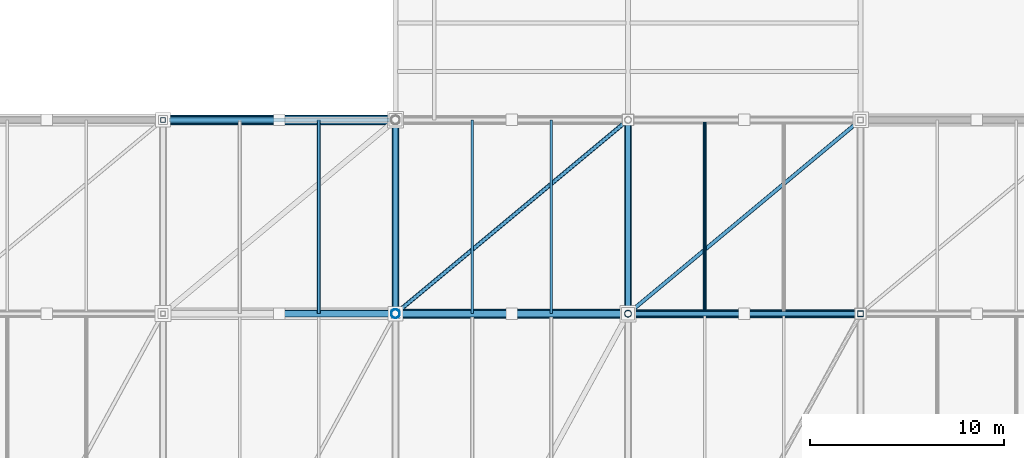
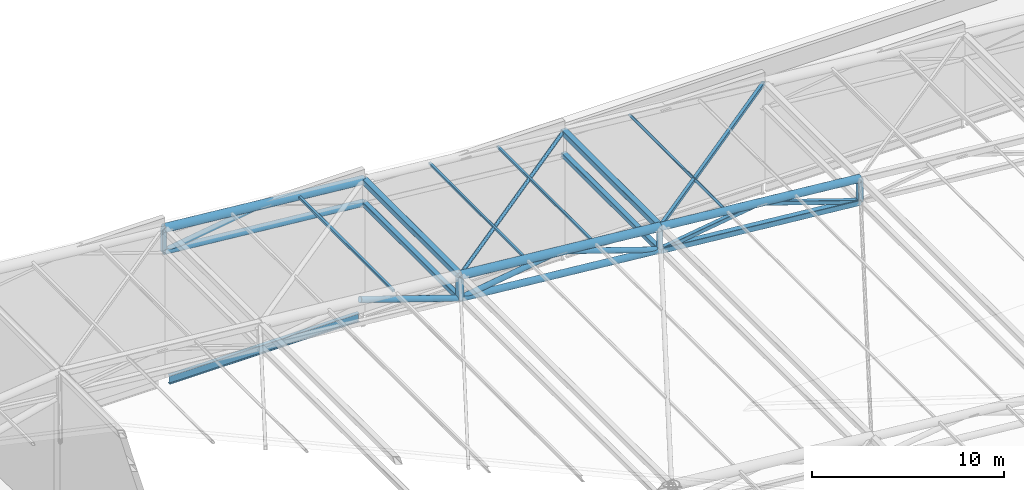
# One storey, part 32 of 44: 26 members, 1 beam.
"""IFC4 building model written with IfcOpenShell, lengths in metres."""

from ifc_helpers import new_model, si_unit, direction, frame, origin, origin_2d, place, context, subcontext, project, spatial, hollow_rectangle, hollow_circle, i_section, extrude, material, material_profile, profile_set, type_object, element, save


model = new_model("IFC4")

# Units and contexts
model_context = context("Model", 3, precision=1e-05, world=origin(), true_north=direction((0.0, 1.0)))
body_context = subcontext(model_context, "Body", "Model", "MODEL_VIEW")
ifc_project = project(units=[si_unit("LENGTHUNIT", "METRE"), si_unit("AREAUNIT", "SQUARE_METRE"), si_unit("VOLUMEUNIT", "CUBIC_METRE"), si_unit("PLANEANGLEUNIT", "RADIAN"), si_unit("MASSUNIT", "GRAM", prefix="KILO")], contexts=[model_context])

# Site, building, storey
site_placement = place(None, origin())
site = spatial("IfcSite", under=ifc_project, at=site_placement, CompositionType="ELEMENT")
building_placement = place(site_placement, origin())
building = spatial("IfcBuilding", under=site, at=building_placement, Name="Brinegate Civic Arena", CompositionType="ELEMENT")
storey_placement = place(building_placement, frame((0.0, 0.0, 29.39990234375)))
storey = spatial("IfcBuildingStorey", under=building, at=storey_placement, Name="RF", CompositionType="ELEMENT", Elevation=29.39990234375)

# Members
ifc_material = material(Name="Steel S355", Category="steel")
ifc_material_profile_1 = material_profile(ifc_material, hollow_circle(Radius=0.083984375, WallThickness=0.008056640625, at=origin_2d()), Name="CHS168X8")
ifc_profile_set_1 = profile_set([ifc_material_profile_1], Name="Steel S355")
member_type_1 = type_object("IfcMemberType", Name="RF-PURLIN-CHS168", PredefinedType="PURLIN", material=ifc_profile_set_1)
member_1_placement = place(storey_placement, frame((99.9599609375, 104.0, 6.835205078125), z_axis=(0.0, 1.0, 0.0), x_axis=(-1.0, 0.0, 0.0)))
element("IfcMember", 1, at=member_1_placement, inside=storey, type_object=member_type_1, Name="Roof Purlin RFP-117", PredefinedType="PURLIN", context=body_context, shape_type="SweptSolid", body=[
    extrude(hollow_circle(Radius=0.083984375, WallThickness=0.008056640625, at=origin_2d()), origin(), (0.0, 0.0, 1.0), 10.0),
])
ifc_material_profile_2 = material_profile(ifc_material, hollow_rectangle(XDim=0.139892578125, YDim=0.139892578125, WallThickness=0.008056640625, InnerFilletRadius=0.008056640625, OuterFilletRadius=0.01611328125, at=origin_2d()), Name="SHS140X8")
ifc_profile_set_2 = profile_set([ifc_material_profile_2], Name="Steel S355")
member_type_2 = type_object("IfcMemberType", Name="RF-PURLIN-SHS140", PredefinedType="PURLIN", material=ifc_profile_set_2)
for number, where, z_axis, x_axis, name in (
    (2, (87.9599609375, 104.0, 7.97412109375), (0.0, 1.0, 0.0), (-1.0, 0.0, 0.0), "Roof Purlin RFP-115"),
    (3, (92.0400390625, 104.0, 7.591064453125), (0.0, 1.0, 0.0), (-1.0, 0.0, 0.0), "Roof Purlin RFP-116"),
):
    element("IfcMember", number, at=place(storey_placement, frame(where, z_axis=z_axis, x_axis=x_axis)), inside=storey, type_object=member_type_2, Name=name, PredefinedType="PURLIN", context=body_context, shape_type="SweptSolid", body=[
        extrude(hollow_rectangle(XDim=0.139892578125, YDim=0.139892578125, WallThickness=0.008056640625, InnerFilletRadius=0.008056640625, OuterFilletRadius=0.01611328125, at=origin_2d()), origin(), (0.0, 0.0, 1.0), 10.0),
    ])
ifc_material_profile_3 = material_profile(ifc_material, hollow_rectangle(XDim=0.159912109375, YDim=0.159912109375, WallThickness=0.008056640625, InnerFilletRadius=0.008056640625, OuterFilletRadius=0.01611328125, at=origin_2d()), Name="SHS160X8")
ifc_profile_set_3 = profile_set([ifc_material_profile_3], Name="Steel S355")
member_type_3 = type_object("IfcMemberType", Name="RF-PURLIN-SHS160", PredefinedType="PURLIN", material=ifc_profile_set_3)
member_2_placement = place(storey_placement, frame((80.0400390625, 104.0, 8.7060546875), z_axis=(0.0, 1.0, 0.0), x_axis=(-1.0, 0.0, 0.0)))
element("IfcMember", 4, at=member_2_placement, inside=storey, type_object=member_type_3, Name="Roof Purlin RFP-114", PredefinedType="PURLIN", context=body_context, shape_type="SweptSolid", body=[
    extrude(hollow_rectangle(XDim=0.159912109375, YDim=0.159912109375, WallThickness=0.008056640625, InnerFilletRadius=0.008056640625, OuterFilletRadius=0.01611328125, at=origin_2d()), origin(), (0.0, 0.0, 1.0), 10.0),
])
ifc_material_profile_4 = material_profile(ifc_material, hollow_circle(Radius=0.109619140625, WallThickness=0.010009765625, at=origin_2d()), Name="CHS219X10")
ifc_profile_set_4 = profile_set([ifc_material_profile_4], Name="Steel S355")
member_type_4 = type_object("IfcMemberType", Name="SF-BRACE-CHS219", PredefinedType="BRACE", material=ifc_profile_set_4)
member_3_placement = place(storey_placement, frame((84.0, 104.0, 8.300048828125), z_axis=(0.766236619907, 0.638530516589, -0.071834683116), x_axis=(-0.640184399664, 0.768221279597, 0.0)))
element("IfcMember", 5, at=member_3_placement, inside=storey, type_object=member_type_4, Name="Roof Plan Diagonal Brace PL-7-4", PredefinedType="BRACE", context=body_context, shape_type="SweptSolid", body=[
    extrude(hollow_circle(Radius=0.109619140625, WallThickness=0.010009765625, at=origin_2d()), origin(), (0.0, 0.0, 1.0), 15.660888671875),
])
ifc_material_profile_5 = material_profile(ifc_material, hollow_circle(Radius=0.162109375, WallThickness=0.011962890625, at=origin_2d()), Name="CHS324X12")
ifc_profile_set_5 = profile_set([ifc_material_profile_5], Name="Steel S355")
member_type_5 = type_object("IfcMemberType", Name="SF-BRACE-CHS324", PredefinedType="BRACE", material=ifc_profile_set_5)
member_4_placement = place(storey_placement, frame((84.0, 104.0, 6.85009765625), z_axis=(0.989226142737, 0.0, 0.1463954867), x_axis=(0.0, 1.0, 0.0)))
element("IfcMember", 6, at=member_4_placement, inside=storey, type_object=member_type_5, Name="Space Frame Web Brace D1-7-4", PredefinedType="BRACE", context=body_context, shape_type="SweptSolid", body=[
    extrude(hollow_circle(Radius=0.162109375, WallThickness=0.011962890625, at=origin_2d()), origin(), (0.0, 0.0, 1.0), 6.0654296875),
])
member_5_placement = place(storey_placement, frame((90.0, 104.0, 7.738037109375), z_axis=(0.948068139281, 0.0, -0.318067293635), x_axis=(0.0, 1.0, 0.0)))
element("IfcMember", 7, at=member_5_placement, inside=storey, type_object=member_type_5, Name="Space Frame Web Brace D2-7-4", PredefinedType="BRACE", context=body_context, shape_type="SweptSolid", body=[
    extrude(hollow_circle(Radius=0.162109375, WallThickness=0.011962890625, at=origin_2d()), origin(), (0.0, 0.0, 1.0), 6.32861328125),
])
member_6_placement = place(storey_placement, frame((72.0, 114.0, 7.97509765625), z_axis=(0.989226142737, 0.0, 0.1463954867), x_axis=(0.0, 1.0, 0.0)))
element("IfcMember", 8, at=member_6_placement, inside=storey, type_object=member_type_5, Name="Space Frame Web Brace D1-8-3", PredefinedType="BRACE", context=body_context, shape_type="SweptSolid", body=[
    extrude(hollow_circle(Radius=0.162109375, WallThickness=0.011962890625, at=origin_2d()), origin(), (0.0, 0.0, 1.0), 6.0654296875),
])
ifc_material_profile_6 = material_profile(ifc_material, hollow_circle(Radius=0.177978515625, WallThickness=0.013916015625, at=origin_2d()), Name="CHS356X14")
ifc_profile_set_6 = profile_set([ifc_material_profile_6], Name="Steel S355")
member_type_6 = type_object("IfcMemberType", Name="SF-BRACE-CHS356", PredefinedType="BRACE", material=ifc_profile_set_6)
member_7_placement = place(storey_placement, frame((78.0, 104.0, 8.863037109375), z_axis=(0.948068139281, 0.0, -0.318067293635), x_axis=(0.0, 1.0, 0.0)))
element("IfcMember", 9, at=member_7_placement, inside=storey, type_object=member_type_6, Name="Space Frame Web Brace D2-7-3", PredefinedType="BRACE", context=body_context, shape_type="SweptSolid", body=[
    extrude(hollow_circle(Radius=0.177978515625, WallThickness=0.013916015625, at=origin_2d()), origin(), (0.0, 0.0, 1.0), 6.32861328125),
])
ifc_material_profile_7 = material_profile(ifc_material, hollow_rectangle(XDim=0.199951171875, YDim=0.199951171875, WallThickness=0.010009765625, InnerFilletRadius=0.010009765625, OuterFilletRadius=0.02001953125, at=origin_2d()), Name="SHS200X10")
ifc_profile_set_7 = profile_set([ifc_material_profile_7], Name="Steel S355")
member_type_7 = type_object("IfcMemberType", Name="SF-BRACE-SHS200", PredefinedType="BRACE", material=ifc_profile_set_7)
member_8_placement = place(storey_placement, frame((96.0, 104.0, 7.175048828125), z_axis=(0.766236619907, 0.638530516589, -0.071834683116), x_axis=(-0.640184399664, 0.768221279597, 0.0)))
element("IfcMember", 10, at=member_8_placement, inside=storey, type_object=member_type_7, Name="Roof Plan Diagonal Brace PL-7-5", PredefinedType="BRACE", context=body_context, shape_type="SweptSolid", body=[
    extrude(hollow_rectangle(XDim=0.199951171875, YDim=0.199951171875, WallThickness=0.010009765625, InnerFilletRadius=0.010009765625, OuterFilletRadius=0.02001953125, at=origin_2d()), origin(), (0.0, 0.0, 1.0), 15.660888671875),
])
ifc_material_profile_8 = material_profile(ifc_material, hollow_rectangle(XDim=0.25, YDim=0.25, WallThickness=0.011962890625, InnerFilletRadius=0.011962890625, OuterFilletRadius=0.02392578125, at=origin_2d()), Name="SHS250X12")
ifc_profile_set_8 = profile_set([ifc_material_profile_8], Name="Steel S355")
member_type_8 = type_object("IfcMemberType", Name="SF-BRACE-SHS250", PredefinedType="BRACE", material=ifc_profile_set_8)
member_9_placement = place(storey_placement, frame((96.0, 104.0, 5.72509765625), z_axis=(0.989226142737, 0.0, 0.1463954867), x_axis=(0.0, 1.0, 0.0)))
element("IfcMember", 11, at=member_9_placement, inside=storey, type_object=member_type_8, Name="Space Frame Web Brace D1-7-5", PredefinedType="BRACE", context=body_context, shape_type="SweptSolid", body=[
    extrude(hollow_rectangle(XDim=0.25, YDim=0.25, WallThickness=0.011962890625, InnerFilletRadius=0.011962890625, OuterFilletRadius=0.02392578125, at=origin_2d()), origin(), (0.0, 0.0, 1.0), 6.0654296875),
])
member_10_placement = place(storey_placement, frame((102.0, 104.0, 6.613037109375), z_axis=(0.948068139281, 0.0, -0.318067293635), x_axis=(0.0, 1.0, 0.0)))
element("IfcMember", 12, at=member_10_placement, inside=storey, type_object=member_type_8, Name="Space Frame Web Brace D2-7-5", PredefinedType="BRACE", context=body_context, shape_type="SweptSolid", body=[
    extrude(hollow_rectangle(XDim=0.25, YDim=0.25, WallThickness=0.011962890625, InnerFilletRadius=0.011962890625, OuterFilletRadius=0.02392578125, at=origin_2d()), origin(), (0.0, 0.0, 1.0), 6.32861328125),
])
ifc_material_profile_9 = material_profile(ifc_material, hollow_circle(Radius=0.202880859375, WallThickness=0.01611328125, at=origin_2d()), Name="CHS406X16")
ifc_profile_set_9 = profile_set([ifc_material_profile_9], Name="Steel S355")
member_type_9 = type_object("IfcMemberType", Name="SF-CHORD-CHS406", PredefinedType="CHORD", material=ifc_profile_set_9)
for number, where, z_axis, x_axis, name in (
    (13, (84.0, 104.0, 6.85009765625), (0.995634226059, 0.0, -0.093340708693), (0.0, 1.0, 0.0), "Space Frame Bottom Chord BX-7-4"),
    (14, (72.0, 114.0, 7.97509765625), (0.995634226059, 0.0, -0.093340708693), (0.0, 1.0, 0.0), "Space Frame Bottom Chord BX-8-3"),
):
    element("IfcMember", number, at=place(storey_placement, frame(where, z_axis=z_axis, x_axis=x_axis)), inside=storey, type_object=member_type_9, Name=name, PredefinedType="CHORD", context=body_context, shape_type="SweptSolid", body=[
        extrude(hollow_circle(Radius=0.202880859375, WallThickness=0.01611328125, at=origin_2d()), origin(), (0.0, 0.0, 1.0), 12.052734375),
    ])
ifc_material_profile_10 = material_profile(ifc_material, hollow_circle(Radius=0.228515625, WallThickness=0.01611328125, at=origin_2d()), Name="CHS457X16")
ifc_profile_set_10 = profile_set([ifc_material_profile_10], Name="Steel S355")
member_type_10 = type_object("IfcMemberType", Name="SF-CHORD-CHS457", PredefinedType="CHORD", material=ifc_profile_set_10)
member_11_placement = place(storey_placement, frame((96.0, 104.0, 7.175048828125), z_axis=(0.995634226059, 0.0, -0.093340708693), x_axis=(0.0, 1.0, 0.0)))
element("IfcMember", 15, at=member_11_placement, inside=storey, type_object=member_type_10, Name="Space Frame Top Chord TX-7-5", PredefinedType="CHORD", context=body_context, shape_type="SweptSolid", body=[
    extrude(hollow_circle(Radius=0.228515625, WallThickness=0.01611328125, at=origin_2d()), origin(), (0.0, 0.0, 1.0), 12.052734375),
])
ifc_material_profile_11 = material_profile(ifc_material, hollow_circle(Radius=0.25390625, WallThickness=0.02001953125, at=origin_2d()), Name="CHS508X20")
ifc_profile_set_11 = profile_set([ifc_material_profile_11], Name="Steel S355")
member_type_11 = type_object("IfcMemberType", Name="SF-CHORD-CHS508", PredefinedType="CHORD", material=ifc_profile_set_11)
for number, where, z_axis, x_axis, name in (
    (16, (84.0, 104.0, 8.300048828125), (0.995634226059, 0.0, -0.093340708693), (0.0, 1.0, 0.0), "Space Frame Top Chord TX-7-4"),
    (17, (72.0, 114.0, 9.425048828125), (0.995634226059, 0.0, -0.093340708693), (0.0, 1.0, 0.0), "Space Frame Top Chord TX-8-3"),
):
    element("IfcMember", number, at=place(storey_placement, frame(where, z_axis=z_axis, x_axis=x_axis)), inside=storey, type_object=member_type_11, Name=name, PredefinedType="CHORD", context=body_context, shape_type="SweptSolid", body=[
        extrude(hollow_circle(Radius=0.25390625, WallThickness=0.02001953125, at=origin_2d()), origin(), (0.0, 0.0, 1.0), 12.052734375),
    ])
ifc_material_profile_12 = material_profile(ifc_material, hollow_rectangle(XDim=0.300048828125, YDim=0.300048828125, WallThickness=0.01611328125, InnerFilletRadius=0.01611328125, OuterFilletRadius=0.031982421875, at=origin_2d()), Name="SHS300X16")
ifc_profile_set_12 = profile_set([ifc_material_profile_12], Name="Steel S355")
member_type_12 = type_object("IfcMemberType", Name="SF-CHORD-SHS300", PredefinedType="CHORD", material=ifc_profile_set_12)
for number, where, z_axis, x_axis, name in (
    (18, (84.0, 104.0, 6.85009765625), (0.0, 1.0, 0.0), (-1.0, 0.0, 0.0), "Space Frame Cross Bottom Chord BY-7-4"),
    (19, (96.0, 104.0, 5.72509765625), (0.0, 1.0, 0.0), (-1.0, 0.0, 0.0), "Space Frame Cross Bottom Chord BY-7-5"),
):
    element("IfcMember", number, at=place(storey_placement, frame(where, z_axis=z_axis, x_axis=x_axis)), inside=storey, type_object=member_type_12, Name=name, PredefinedType="CHORD", context=body_context, shape_type="SweptSolid", body=[
        extrude(hollow_rectangle(XDim=0.300048828125, YDim=0.300048828125, WallThickness=0.01611328125, InnerFilletRadius=0.01611328125, OuterFilletRadius=0.031982421875, at=origin_2d()), origin(), (0.0, 0.0, 1.0), 10.0),
    ])
ifc_material_profile_13 = material_profile(ifc_material, hollow_rectangle(XDim=0.35009765625, YDim=0.35009765625, WallThickness=0.01611328125, InnerFilletRadius=0.01611328125, OuterFilletRadius=0.031982421875, at=origin_2d()), Name="SHS350X16")
ifc_profile_set_13 = profile_set([ifc_material_profile_13], Name="Steel S355")
member_type_13 = type_object("IfcMemberType", Name="SF-CHORD-SHS350", PredefinedType="CHORD", material=ifc_profile_set_13)
member_12_placement = place(storey_placement, frame((96.0, 104.0, 5.72509765625), z_axis=(0.995634226059, 0.0, -0.093340708693), x_axis=(0.0, 1.0, 0.0)))
element("IfcMember", 20, at=member_12_placement, inside=storey, type_object=member_type_13, Name="Space Frame Bottom Chord BX-7-5", PredefinedType="CHORD", context=body_context, shape_type="SweptSolid", body=[
    extrude(hollow_rectangle(XDim=0.35009765625, YDim=0.35009765625, WallThickness=0.01611328125, InnerFilletRadius=0.01611328125, OuterFilletRadius=0.031982421875, at=origin_2d()), origin(), (0.0, 0.0, 1.0), 12.052734375),
])
for number, where, z_axis, x_axis, name in (
    (21, (84.0, 104.0, 8.300048828125), (0.0, 1.0, 0.0), (-1.0, 0.0, 0.0), "Space Frame Cross Top Chord TY-7-4"),
    (22, (96.0, 104.0, 7.175048828125), (0.0, 1.0, 0.0), (-1.0, 0.0, 0.0), "Space Frame Cross Top Chord TY-7-5"),
):
    element("IfcMember", number, at=place(storey_placement, frame(where, z_axis=z_axis, x_axis=x_axis)), inside=storey, type_object=member_type_13, Name=name, PredefinedType="CHORD", context=body_context, shape_type="SweptSolid", body=[
        extrude(hollow_rectangle(XDim=0.35009765625, YDim=0.35009765625, WallThickness=0.01611328125, InnerFilletRadius=0.01611328125, OuterFilletRadius=0.031982421875, at=origin_2d()), origin(), (0.0, 0.0, 1.0), 10.0),
    ])
ifc_material_profile_14 = material_profile(ifc_material, hollow_circle(Radius=0.177978515625, WallThickness=0.013916015625, at=origin_2d()), Name="CHS356X14")
ifc_profile_set_14 = profile_set([ifc_material_profile_14], Name="Steel S355")
member_type_14 = type_object("IfcMemberType", Name="SF-STRUT-CHS356", PredefinedType="STRUT", material=ifc_profile_set_14)
member_13_placement = place(storey_placement, frame((96.0, 104.0, 5.72509765625), z_axis=(0.0, 0.0, 1.0), x_axis=(1.0, 0.0, 0.0)))
element("IfcMember", 23, at=member_13_placement, inside=storey, type_object=member_type_14, Name="Space Frame Vertical Post V-7-5", PredefinedType="STRUT", context=body_context, shape_type="SweptSolid", body=[
    extrude(hollow_circle(Radius=0.177978515625, WallThickness=0.013916015625, at=origin_2d()), origin(), (0.0, 0.0, 1.0), 1.449951171875),
])
ifc_material_profile_15 = material_profile(ifc_material, hollow_circle(Radius=0.228515625, WallThickness=0.01611328125, at=origin_2d()), Name="CHS457X16")
ifc_profile_set_15 = profile_set([ifc_material_profile_15], Name="Steel S355")
member_type_15 = type_object("IfcMemberType", Name="SF-STRUT-CHS457", PredefinedType="STRUT", material=ifc_profile_set_15)
member_14_placement = place(storey_placement, frame((84.0, 104.0, 6.85009765625), z_axis=(0.0, 0.0, 1.0), x_axis=(1.0, 0.0, 0.0)))
element("IfcMember", 24, at=member_14_placement, inside=storey, type_object=member_type_15, Name="Space Frame Vertical Post V-7-4", PredefinedType="STRUT", context=body_context, shape_type="SweptSolid", body=[
    extrude(hollow_circle(Radius=0.228515625, WallThickness=0.01611328125, at=origin_2d()), origin(), (0.0, 0.0, 1.0), 1.449951171875),
])
ifc_material_profile_16 = material_profile(ifc_material, hollow_rectangle(XDim=0.25, YDim=0.25, WallThickness=0.011962890625, InnerFilletRadius=0.011962890625, OuterFilletRadius=0.02392578125, at=origin_2d()), Name="SHS250X12")
ifc_profile_set_16 = profile_set([ifc_material_profile_16], Name="Steel S355")
member_type_16 = type_object("IfcMemberType", Name="SF-STRUT-SHS250", PredefinedType="STRUT", material=ifc_profile_set_16)
member_15_placement = place(storey_placement, frame((72.0, 114.0, 7.97509765625), z_axis=(0.0, 0.0, 1.0), x_axis=(1.0, 0.0, 0.0)))
element("IfcMember", 25, at=member_15_placement, inside=storey, type_object=member_type_16, Name="Space Frame Vertical Post V-8-3", PredefinedType="STRUT", context=body_context, shape_type="SweptSolid", body=[
    extrude(hollow_rectangle(XDim=0.25, YDim=0.25, WallThickness=0.011962890625, InnerFilletRadius=0.011962890625, OuterFilletRadius=0.02392578125, at=origin_2d()), origin(), (0.0, 0.0, 1.0), 1.449951171875),
])
ifc_material_profile_17 = material_profile(ifc_material, hollow_rectangle(XDim=0.300048828125, YDim=0.300048828125, WallThickness=0.01611328125, InnerFilletRadius=0.01611328125, OuterFilletRadius=0.031982421875, at=origin_2d()), Name="SHS300X16")
ifc_profile_set_17 = profile_set([ifc_material_profile_17], Name="Steel S355")
member_type_17 = type_object("IfcMemberType", Name="SF-STRUT-SHS300", PredefinedType="STRUT", material=ifc_profile_set_17)
member_16_placement = place(storey_placement, frame((108.0, 104.0, 4.60009765625), z_axis=(0.0, 0.0, 1.0), x_axis=(1.0, 0.0, 0.0)))
element("IfcMember", 26, at=member_16_placement, inside=storey, type_object=member_type_17, Name="Space Frame Vertical Post V-7-6", PredefinedType="STRUT", context=body_context, shape_type="SweptSolid", body=[
    extrude(hollow_rectangle(XDim=0.300048828125, YDim=0.300048828125, WallThickness=0.01611328125, InnerFilletRadius=0.01611328125, OuterFilletRadius=0.031982421875, at=origin_2d()), origin(), (0.0, 0.0, 1.0), 1.449951171875),
])

# Beam
ifc_material_profile_18 = material_profile(ifc_material, i_section(OverallWidth=0.2119140625, OverallDepth=0.5439453125, WebThickness=0.012939453125, FlangeThickness=0.02099609375, FilletRadius=0.01611328125, at=origin_2d()), Name="W530X123")
ifc_profile_set_18 = profile_set([ifc_material_profile_18], Name="Steel S355")
beam_type = type_object("IfcBeamType", Name="SPANDREL-W530X123", PredefinedType="SPANDREL", material=ifc_profile_set_18)
beam_placement = place(storey_placement, frame((72.31005859375, 114.0, -0.27197265625), z_axis=(1.0, 0.0, 0.0), x_axis=(0.0, 1.0, 0.0)))
element("IfcBeam", 27, at=beam_placement, inside=storey, type_object=beam_type, Name="Gable Crown Ring Beam GBL-N02", PredefinedType="SPANDREL", context=body_context, shape_type="SweptSolid", body=[
    extrude(i_section(OverallWidth=0.2119140625, OverallDepth=0.5439453125, WebThickness=0.012939453125, FlangeThickness=0.02099609375, FilletRadius=0.01611328125, at=origin_2d()), origin(), (0.0, 0.0, 1.0), 11.3798828125),
])

save(model, "model.ifc")
